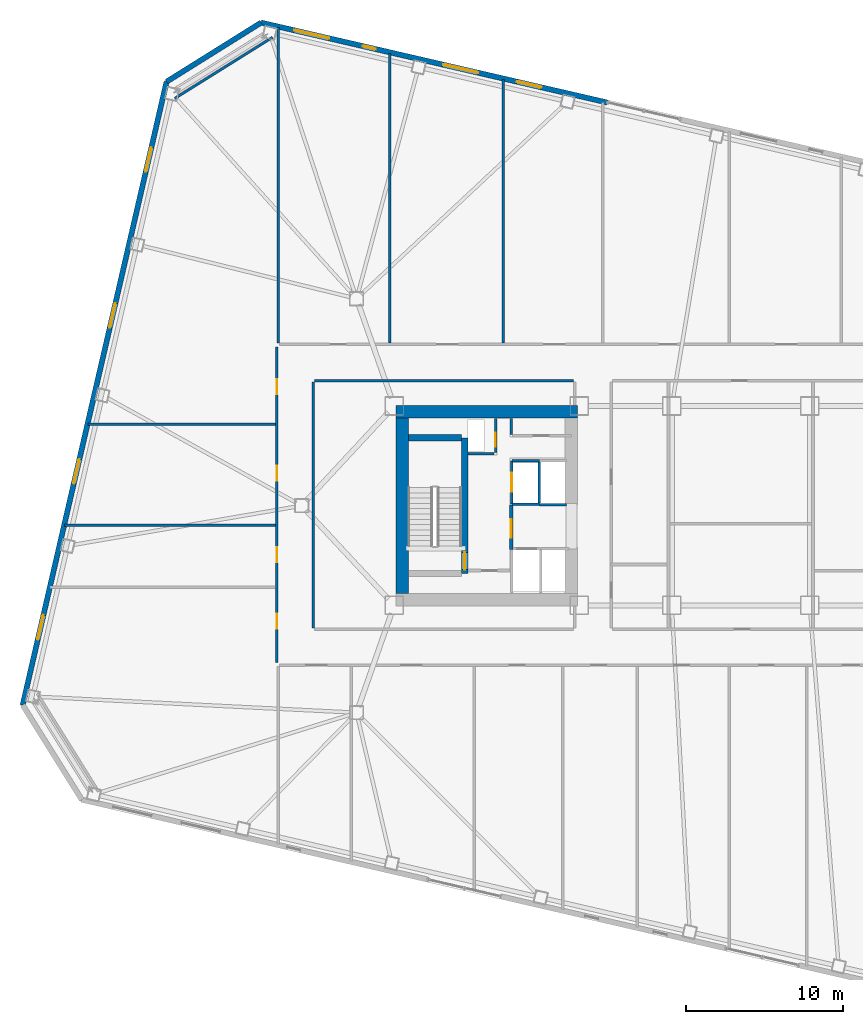
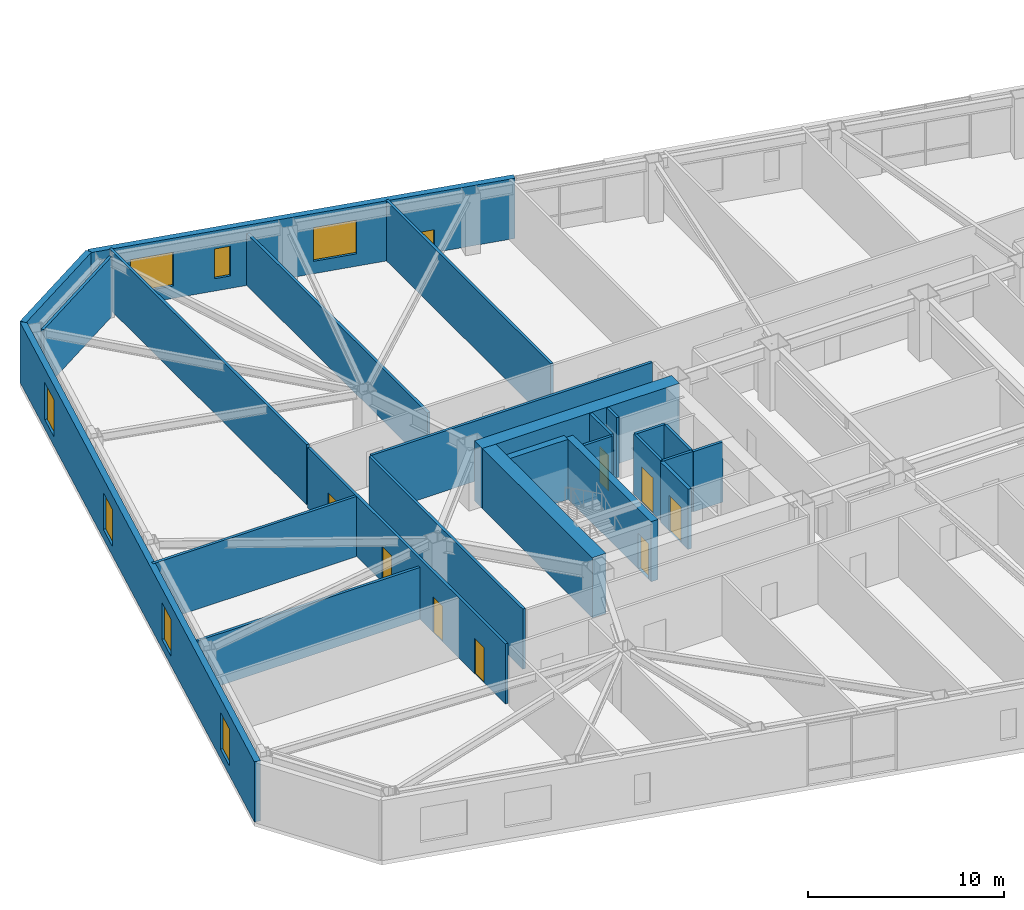
# One storey, part 11 of 19: 25 walls, 8 doors, 8 windows, 16 openings.
"""IFC4 building model written with IfcOpenShell, lengths in metres."""

from ifc_helpers import new_model, si_unit, direction, frame, frame_2d, origin, place, context, subcontext, project, spatial, rectangle, extrude, material, layer, layer_set, type_object, element, fill, save


model = new_model("IFC4")

# Units and contexts
model_context = context("Model", 3, precision=1e-05, world=origin(), true_north=direction((0.0, 1.0)))
body_context = subcontext(model_context, "Body", "Model", "MODEL_VIEW")
ifc_project = project(units=[si_unit("LENGTHUNIT", "METRE"), si_unit("AREAUNIT", "SQUARE_METRE"), si_unit("VOLUMEUNIT", "CUBIC_METRE"), si_unit("PLANEANGLEUNIT", "RADIAN"), si_unit("MASSUNIT", "GRAM", prefix="KILO")], contexts=[model_context])

# Site, building, storey
site_placement = place(None, origin())
site = spatial("IfcSite", under=ifc_project, at=site_placement, CompositionType="ELEMENT")
building_placement = place(site_placement, origin())
building = spatial("IfcBuilding", under=site, at=building_placement, Name="Tavrogorsk Clinical Tower", CompositionType="ELEMENT")
storey_placement = place(building_placement, frame((0.0, 0.0, 75.39990234375)))
storey = spatial("IfcBuildingStorey", under=building, at=storey_placement, Name="L16", CompositionType="ELEMENT", Elevation=75.39990234375)

# Wall, opening, door
ifc_material_1 = material(Name="Concrete B60", Category="concrete")
ifc_layer_1 = layer(ifc_material_1, 0.199951171875)
ifc_layer_set_1 = layer_set([ifc_layer_1], Name="Concrete B60")
wall_type_1 = type_object("IfcWallType", Name="CoreFireWall_200", PredefinedType="SOLIDWALL", material=ifc_layer_set_1)
wall_1_placement = place(storey_placement, frame((-14.639892578125, -2.780029296875, 0.0), z_axis=(0.0, 0.0, 1.0), x_axis=(0.0, 1.0, 0.0)))
wall_1 = element("IfcWall", 1, at=wall_1_placement, inside=storey, type_object=wall_type_1, Name="L16 Core West Firefighting Lobby Fire Wall", PredefinedType="SOLIDWALL", context=body_context, shape_type="SweptSolid", body=[
    extrude(rectangle(XDim=2.820068359375, YDim=0.199951171875, at=frame_2d((1.41015625, 0.0))), origin(), (0.0, 0.0, 1.0), 3.739990234375),
])
opening_1_placement = place(wall_1_placement, frame((0.72998046875, 0.0, 0.0)))
opening_1 = element("IfcOpeningElement", 2, at=opening_1_placement, cuts=wall_1, Name="Opening FD-01", PredefinedType="OPENING", context=body_context, shape_type="SweptSolid", body=[
    extrude(rectangle(XDim=1.199951171875, YDim=2.199951171875, at=frame_2d((0.60009765625, 1.10009765625))), frame((0.0, 0.10986328125, 0.0), z_axis=(0.0, -1.0, 0.0), x_axis=(1.0, 0.0, 0.0)), (0.0, 0.0, 1.0), 0.219970703125),
])
ifc_material_2 = material(Name="Galvanised steel fire-rated door assembly", Category="steel")
door_type_1 = type_object("IfcDoorType", Name="FireDoor_FD01_1200", OperationType="NOTDEFINED", PredefinedType="DOOR", material=ifc_material_2)
door_1_placement = place(opening_1_placement, origin())
door_1 = element("IfcDoor", 3, at=door_1_placement, inside=storey, type_object=door_type_1, Name="L16 Core West Firefighting Lobby Entry Door", OperationType="SINGLE_SWING_RIGHT", OverallHeight=2.199951171875, OverallWidth=1.199951171875, PredefinedType="DOOR", context=body_context, shape_type="SweptSolid", body=[
    extrude(rectangle(XDim=1.199951171875, YDim=2.199951171875, at=frame_2d((0.60009765625, 1.10009765625))), frame((0.0, 0.02490234375, 0.0), z_axis=(0.0, -1.0, 0.0), x_axis=(1.0, 0.0, 0.0)), (0.0, 0.0, 1.0), 0.050048828125),
])
fill(opening_1, door_1)

# Walls
ifc_material_3 = material(Name="Lightweight concrete blockwork B15", Category="masonry")
ifc_layer_2 = layer(ifc_material_3, 0.159912109375)
ifc_layer_set_2 = layer_set([ifc_layer_2], Name="Lightweight concrete blockwork B15")
wall_type_2 = type_object("IfcWallType", Name="PartitionWall_160", PredefinedType="PARTITIONING", material=ifc_layer_set_2)
wall_2_placement = place(storey_placement, frame((-14.639892578125, 4.544921875, 0.0), z_axis=(0.0, 0.0, 1.0), x_axis=(0.0, 1.0, 0.0)))
element("IfcWall", 4, at=wall_2_placement, inside=storey, type_object=wall_type_2, Name="L16 Core West Pneumatic Dispatch East Wall", PredefinedType="PARTITIONING", context=body_context, shape_type="SweptSolid", body=[
    extrude(rectangle(XDim=1.01513671875, YDim=0.159912109375, at=frame_2d((0.507568359375, 0.0))), origin(), (0.0, 0.0, 1.0), 3.739990234375),
])
wall_3_placement = place(storey_placement, frame((-29.859619140625, 29.8681640625, 0.0), z_axis=(0.0, 0.0, 1.0), x_axis=(-0.848043064089, -0.529927317139, 0.0)))
element("IfcWall", 5, at=wall_3_placement, inside=storey, type_object=wall_type_2, Name="L16 Corner Exoskeleton Brace Furring Wall 3", PredefinedType="PARTITIONING", context=body_context, shape_type="SweptSolid", body=[
    extrude(rectangle(XDim=7.353759765625, YDim=0.159912109375, at=frame_2d((3.6767578125, 0.0))), origin(), (0.0, 0.0, 1.0), 3.739990234375),
])

# Wall, openings, doors
wall_4_placement = place(storey_placement, frame((-29.580078125, -10.014892578125, 0.0), z_axis=(0.0, 0.0, 1.0), x_axis=(0.0, 1.0, 0.0)))
wall_4 = element("IfcWall", 6, at=wall_4_placement, inside=storey, type_object=wall_type_2, Name="L16 Corridor Partition 01", PredefinedType="PARTITIONING", context=body_context, shape_type="SweptSolid", body=[
    extrude(rectangle(XDim=20.1298828125, YDim=0.159912109375, at=frame_2d((10.06494140625, 0.0))), origin(), (0.0, 0.0, 1.0), 3.739990234375),
])
opening_2_placement = place(wall_4_placement, frame((2.169189453125, 0.0, 0.0)))
opening_2 = element("IfcOpeningElement", 7, at=opening_2_placement, cuts=wall_4, Name="Opening ID-02", PredefinedType="OPENING", context=body_context, shape_type="SweptSolid", body=[
    extrude(rectangle(XDim=0.949951171875, YDim=2.199951171875, at=frame_2d((0.47509765625, 1.10009765625))), frame((0.0, 0.08984375, 0.0), z_axis=(0.0, -1.0, 0.0), x_axis=(1.0, 0.0, 0.0)), (0.0, 0.0, 1.0), 0.179931640625),
])
opening_3_placement = place(wall_4_placement, frame((6.39990234375, 0.0, 0.0)))
opening_3 = element("IfcOpeningElement", 8, at=opening_3_placement, cuts=wall_4, Name="Opening ID-02", PredefinedType="OPENING", context=body_context, shape_type="SweptSolid", body=[
    extrude(rectangle(XDim=0.949951171875, YDim=2.199951171875, at=frame_2d((0.47509765625, 1.10009765625))), frame((0.0, 0.08984375, 0.0), z_axis=(0.0, -1.0, 0.0), x_axis=(1.0, 0.0, 0.0)), (0.0, 0.0, 1.0), 0.179931640625),
])
opening_4_placement = place(wall_4_placement, frame((11.60009765625, 0.0, 0.0)))
opening_4 = element("IfcOpeningElement", 9, at=opening_4_placement, cuts=wall_4, Name="Opening ID-02", PredefinedType="OPENING", context=body_context, shape_type="SweptSolid", body=[
    extrude(rectangle(XDim=0.949951171875, YDim=2.199951171875, at=frame_2d((0.47509765625, 1.10009765625))), frame((0.0, 0.08984375, 0.0), z_axis=(0.0, -1.0, 0.0), x_axis=(1.0, 0.0, 0.0)), (0.0, 0.0, 1.0), 0.179931640625),
])
opening_5_placement = place(wall_4_placement, frame((17.130859375, 0.0, 0.0)))
opening_5 = element("IfcOpeningElement", 10, at=opening_5_placement, cuts=wall_4, Name="Opening ID-02", PredefinedType="OPENING", context=body_context, shape_type="SweptSolid", body=[
    extrude(rectangle(XDim=0.949951171875, YDim=2.199951171875, at=frame_2d((0.47509765625, 1.10009765625))), frame((0.0, 0.08984375, 0.0), z_axis=(0.0, -1.0, 0.0), x_axis=(1.0, 0.0, 0.0)), (0.0, 0.0, 1.0), 0.179931640625),
])
ifc_material_4 = material(Name="Laminated timber leaf on aluminium frame", Category="wood")
door_type_2 = type_object("IfcDoorType", Name="InteriorDoor_ID02_950", OperationType="NOTDEFINED", PredefinedType="DOOR", material=ifc_material_4)
door_2_placement = place(opening_2_placement, origin())
door_2 = element("IfcDoor", 11, at=door_2_placement, inside=storey, type_object=door_type_2, Name="L16 W Solarium Day Room & Lounge 1 Door", OperationType="SINGLE_SWING_RIGHT", OverallHeight=2.199951171875, OverallWidth=0.949951171875, PredefinedType="DOOR", context=body_context, shape_type="SweptSolid", body=[
    extrude(rectangle(XDim=0.949951171875, YDim=2.199951171875, at=frame_2d((0.47509765625, 1.10009765625))), frame((0.0, 0.02490234375, 0.0), z_axis=(0.0, -1.0, 0.0), x_axis=(1.0, 0.0, 0.0)), (0.0, 0.0, 1.0), 0.050048828125),
])
fill(opening_2, door_2)
door_3_placement = place(opening_3_placement, origin())
door_3 = element("IfcDoor", 12, at=door_3_placement, inside=storey, type_object=door_type_2, Name="L16 W Rehabilitation Therapy Suite 2 Door", OperationType="SINGLE_SWING_LEFT", OverallHeight=2.199951171875, OverallWidth=0.949951171875, PredefinedType="DOOR", context=body_context, shape_type="SweptSolid", body=[
    extrude(rectangle(XDim=0.949951171875, YDim=2.199951171875, at=frame_2d((0.47509765625, 1.10009765625))), frame((0.0, 0.02490234375, 0.0), z_axis=(0.0, -1.0, 0.0), x_axis=(1.0, 0.0, 0.0)), (0.0, 0.0, 1.0), 0.050048828125),
])
fill(opening_3, door_3)
door_4_placement = place(opening_4_placement, origin())
door_4 = element("IfcDoor", 13, at=door_4_placement, inside=storey, type_object=door_type_2, Name="L16 W Sub-Acute Observation Suite 3 Door", OperationType="SINGLE_SWING_RIGHT", OverallHeight=2.199951171875, OverallWidth=0.949951171875, PredefinedType="DOOR", context=body_context, shape_type="SweptSolid", body=[
    extrude(rectangle(XDim=0.949951171875, YDim=2.199951171875, at=frame_2d((0.47509765625, 1.10009765625))), frame((0.0, 0.02490234375, 0.0), z_axis=(0.0, -1.0, 0.0), x_axis=(1.0, 0.0, 0.0)), (0.0, 0.0, 1.0), 0.050048828125),
])
fill(opening_4, door_4)
door_5_placement = place(opening_5_placement, origin())
door_5 = element("IfcDoor", 14, at=door_5_placement, inside=storey, type_object=door_type_2, Name="L16 W Family Consultation Lounge 4 Door", OperationType="SINGLE_SWING_LEFT", OverallHeight=2.199951171875, OverallWidth=0.949951171875, PredefinedType="DOOR", context=body_context, shape_type="SweptSolid", body=[
    extrude(rectangle(XDim=0.949951171875, YDim=2.199951171875, at=frame_2d((0.47509765625, 1.10009765625))), frame((0.0, 0.02490234375, 0.0), z_axis=(0.0, -1.0, 0.0), x_axis=(1.0, 0.0, 0.0)), (0.0, 0.0, 1.0), 0.050048828125),
])
fill(opening_5, door_5)

# Walls
wall_5_placement = place(storey_placement, frame((-10.6650390625, 7.969970703125, 0.0), z_axis=(0.0, 0.0, 1.0), x_axis=(-1.0, 0.0, 0.0)))
element("IfcWall", 15, at=wall_5_placement, inside=storey, type_object=wall_type_2, Name="L16 Corridor Partition 16", PredefinedType="PARTITIONING", context=body_context, shape_type="SweptSolid", body=[
    extrude(rectangle(XDim=16.52001953125, YDim=0.159912109375, at=frame_2d((8.260009765625, 0.0))), origin(), (0.0, 0.0, 1.0), 3.739990234375),
])
wall_6_placement = place(storey_placement, frame((-27.27001953125, 7.885009765625, 0.0), z_axis=(0.0, 0.0, 1.0), x_axis=(0.0, -1.0, 0.0)))
element("IfcWall", 16, at=wall_6_placement, inside=storey, type_object=wall_type_2, Name="L16 Corridor Partition 17", PredefinedType="PARTITIONING", context=body_context, shape_type="SweptSolid", body=[
    extrude(rectangle(XDim=15.669921875, YDim=0.159912109375, at=frame_2d((7.8349609375, 0.0))), origin(), (0.0, 0.0, 1.0), 3.739990234375),
])
wall_7_placement = place(storey_placement, frame((-29.5, 10.364990234375, 0.0), z_axis=(0.0, 0.0, 1.0), x_axis=(0.0, 1.0, 0.0)))
element("IfcWall", 17, at=wall_7_placement, inside=storey, type_object=wall_type_2, Name="L16 NW Wing Closure Partition", PredefinedType="PARTITIONING", context=body_context, shape_type="SweptSolid", body=[
    extrude(rectangle(XDim=20.11865234375, YDim=0.159912109375, at=frame_2d((10.059326171875, 0.0))), origin(), (0.0, 0.0, 1.0), 3.739990234375),
])
wall_8_placement = place(storey_placement, frame((-22.39990234375, 10.364990234375, 0.0), z_axis=(0.0, 0.0, 1.0), x_axis=(0.0, 1.0, 0.0)))
element("IfcWall", 18, at=wall_8_placement, inside=storey, type_object=wall_type_2, Name="L16 North Room Partition 1", PredefinedType="PARTITIONING", context=body_context, shape_type="SweptSolid", body=[
    extrude(rectangle(XDim=18.4794921875, YDim=0.159912109375, at=frame_2d((9.23974609375, 0.0))), origin(), (0.0, 0.0, 1.0), 3.235107421875),
])
wall_9_placement = place(storey_placement, frame((-15.14990234375, 10.364990234375, 0.0), z_axis=(0.0, 0.0, 1.0), x_axis=(0.0, 1.0, 0.0)))
element("IfcWall", 19, at=wall_9_placement, inside=storey, type_object=wall_type_2, Name="L16 North Sub-Partition 2", PredefinedType="PARTITIONING", context=body_context, shape_type="SweptSolid", body=[
    extrude(rectangle(XDim=16.8056640625, YDim=0.159912109375, at=frame_2d((8.40283203125, 0.0))), origin(), (0.0, 0.0, 1.0), 3.739990234375),
])
wall_10_placement = place(storey_placement, frame((-43.130126953125, -1.25, 0.0), z_axis=(0.0, 0.0, 1.0), x_axis=(1.0, 0.0, 0.0)))
element("IfcWall", 20, at=wall_10_placement, inside=storey, type_object=wall_type_2, Name="L16 W Wing Divider 2", PredefinedType="PARTITIONING", context=body_context, shape_type="SweptSolid", body=[
    extrude(rectangle(XDim=13.465087890625, YDim=0.159912109375, at=frame_2d((6.732421875, 0.0))), origin(), (0.0, 0.0, 1.0), 3.235107421875),
])
wall_11_placement = place(storey_placement, frame((-41.64111328125, 5.199951171875, 0.0), z_axis=(0.0, 0.0, 1.0), x_axis=(1.0, 0.0, 0.0)))
element("IfcWall", 21, at=wall_11_placement, inside=storey, type_object=wall_type_2, Name="L16 W Wing Divider 3", PredefinedType="PARTITIONING", context=body_context, shape_type="SweptSolid", body=[
    extrude(rectangle(XDim=11.97607421875, YDim=0.159912109375, at=frame_2d((5.988037109375, 0.0))), origin(), (0.0, 0.0, 1.0), 3.739990234375),
])

# Wall, openings, windows
ifc_material_5 = material(Name="Precast concrete B45 with limestone cladding", Category="masonry")
ifc_layer_3 = layer(ifc_material_5, 0.340087890625)
ifc_layer_set_3 = layer_set([ifc_layer_3], Name="Precast concrete B45 with limestone cladding")
wall_type_3 = type_object("IfcWallType", Name="PrecastLimestoneWall_340", PredefinedType="STANDARD", material=ifc_layer_set_3)
wall_12_placement = place(storey_placement, frame((-8.5166015625, 25.711181640625, 0.0), z_axis=(0.0, 0.0, 1.0), x_axis=(-0.974372845456, 0.224939009598, 0.0)))
wall_12 = element("IfcWall", 22, at=wall_12_placement, inside=storey, type_object=wall_type_3, Name="L16 N Limestone Facade Wall 3", PredefinedType="STANDARD", context=body_context, shape_type="SweptSolid", body=[
    extrude(rectangle(XDim=22.651611328125, YDim=0.340087890625, at=frame_2d((11.32568359375, 0.0))), origin(), (0.0, 0.0, 1.0), 3.739990234375),
])
opening_6_placement = place(wall_12_placement, frame((18.189208984375, 0.0, 0.77001953125)))
opening_6 = element("IfcOpeningElement", 23, at=opening_6_placement, cuts=wall_12, Name="Opening WN-12", PredefinedType="OPENING", context=body_context, shape_type="SweptSolid", body=[
    extrude(rectangle(XDim=2.300048828125, YDim=2.10009765625, at=frame_2d((1.14990234375, 1.050048828125))), frame((0.0, 0.179931640625, 0.0), z_axis=(0.0, -1.0, 0.0), x_axis=(1.0, 0.0, 0.0)), (0.0, 0.0, 1.0), 0.360107421875),
])
opening_7_placement = place(wall_12_placement, frame((15.15478515625, 0.0, 0.77001953125)))
opening_7 = element("IfcOpeningElement", 24, at=opening_7_placement, cuts=wall_12, Name="Opening WN-06", PredefinedType="OPENING", context=body_context, shape_type="SweptSolid", body=[
    extrude(rectangle(XDim=0.85009765625, YDim=1.85009765625, at=frame_2d((0.425048828125, 0.925048828125))), frame((0.0, 0.179931640625, 0.0), z_axis=(0.0, -1.0, 0.0), x_axis=(1.0, 0.0, 0.0)), (0.0, 0.0, 1.0), 0.360107421875),
])
opening_8_placement = place(wall_12_placement, frame((8.440673828125, 0.0, 0.77001953125)))
opening_8 = element("IfcOpeningElement", 25, at=opening_8_placement, cuts=wall_12, Name="Opening WN-12", PredefinedType="OPENING", context=body_context, shape_type="SweptSolid", body=[
    extrude(rectangle(XDim=2.300048828125, YDim=2.10009765625, at=frame_2d((1.14990234375, 1.050048828125))), frame((0.0, 0.179931640625, 0.0), z_axis=(0.0, -1.0, 0.0), x_axis=(1.0, 0.0, 0.0)), (0.0, 0.0, 1.0), 0.360107421875),
])
opening_9_placement = place(wall_12_placement, frame((4.306396484375, 0.0, 0.219970703125)))
opening_9 = element("IfcOpeningElement", 26, at=opening_9_placement, cuts=wall_12, Name="Opening WN-09", PredefinedType="OPENING", context=body_context, shape_type="SweptSolid", body=[
    extrude(rectangle(XDim=1.60009765625, YDim=1.199951171875, at=frame_2d((0.800048828125, 0.60009765625))), frame((0.0, 0.179931640625, 0.0), z_axis=(0.0, -1.0, 0.0), x_axis=(1.0, 0.0, 0.0)), (0.0, 0.0, 1.0), 0.360107421875),
])
ifc_material_6 = material(Name="Thermally broken aluminium frame and triple IGU", Category="aluminium")
window_type_1 = type_object("IfcWindowType", Name="LowHeadTransWin_1600x1200", PartitioningType="DOUBLE_PANEL_VERTICAL", PredefinedType="WINDOW", material=ifc_material_6)
window_1_placement = place(opening_9_placement, origin())
window_1 = element("IfcWindow", 27, at=window_1_placement, inside=storey, type_object=window_type_1, Name="L16 N Chicago Window 04", OverallHeight=1.199951171875, OverallWidth=1.60009765625, PartitioningType="SINGLE_PANEL", PredefinedType="WINDOW", context=body_context, shape_type="SweptSolid", body=[
    extrude(rectangle(XDim=1.60009765625, YDim=1.199951171875, at=frame_2d((0.800048828125, 0.60009765625))), frame((0.0, 0.030029296875, 0.0), z_axis=(0.0, -1.0, 0.0), x_axis=(1.0, 0.0, 0.0)), (0.0, 0.0, 1.0), 0.06005859375),
])
fill(opening_9, window_1)
ifc_material_7 = material(Name="Thermally broken aluminium frame and triple IGU", Category="aluminium")
window_type_2 = type_object("IfcWindowType", Name="MullionSubWin_850x1850", PartitioningType="SINGLE_PANEL", PredefinedType="WINDOW", material=ifc_material_7)
window_2_placement = place(opening_7_placement, origin())
window_2 = element("IfcWindow", 28, at=window_2_placement, inside=storey, type_object=window_type_2, Name="L16 N Mullion Split Window 02B", OverallHeight=1.85009765625, OverallWidth=0.85009765625, PartitioningType="SINGLE_PANEL", PredefinedType="WINDOW", context=body_context, shape_type="SweptSolid", body=[
    extrude(rectangle(XDim=0.85009765625, YDim=1.85009765625, at=frame_2d((0.425048828125, 0.925048828125))), frame((0.0, 0.030029296875, 0.0), z_axis=(0.0, -1.0, 0.0), x_axis=(1.0, 0.0, 0.0)), (0.0, 0.0, 1.0), 0.06005859375),
])
fill(opening_7, window_2)
ifc_material_8 = material(Name="Thermally broken aluminium frame and triple IGU", Category="aluminium")
window_type_3 = type_object("IfcWindowType", Name="RecoveryWin_2300x2100", PartitioningType="DOUBLE_PANEL_VERTICAL", PredefinedType="WINDOW", material=ifc_material_8)
window_3_placement = place(opening_6_placement, origin())
window_3 = element("IfcWindow", 29, at=window_3_placement, inside=storey, type_object=window_type_3, Name="L16 N Chicago Window 01", OverallHeight=2.10009765625, OverallWidth=2.300048828125, PartitioningType="SINGLE_PANEL", PredefinedType="WINDOW", context=body_context, shape_type="SweptSolid", body=[
    extrude(rectangle(XDim=2.300048828125, YDim=2.10009765625, at=frame_2d((1.14990234375, 1.050048828125))), frame((0.0, 0.030029296875, 0.0), z_axis=(0.0, -1.0, 0.0), x_axis=(1.0, 0.0, 0.0)), (0.0, 0.0, 1.0), 0.06005859375),
])
fill(opening_6, window_3)
window_4_placement = place(opening_8_placement, origin())
window_4 = element("IfcWindow", 30, at=window_4_placement, inside=storey, type_object=window_type_3, Name="L16 N Chicago Window 03", OverallHeight=2.10009765625, OverallWidth=2.300048828125, PartitioningType="SINGLE_PANEL", PredefinedType="WINDOW", context=body_context, shape_type="SweptSolid", body=[
    extrude(rectangle(XDim=2.300048828125, YDim=2.10009765625, at=frame_2d((1.14990234375, 1.050048828125))), frame((0.0, 0.030029296875, 0.0), z_axis=(0.0, -1.0, 0.0), x_axis=(1.0, 0.0, 0.0)), (0.0, 0.0, 1.0), 0.06005859375),
])
fill(opening_8, window_4)

wall_13_placement = place(storey_placement, frame((-36.6201171875, 27.036865234375, 0.0), z_axis=(0.0, 0.0, 1.0), x_axis=(-0.224951280646, -0.974370012539, 0.0)))
wall_13 = element("IfcWall", 31, at=wall_13_placement, inside=storey, type_object=wall_type_3, Name="L16 W Pleated Limestone Wing Wall", PredefinedType="STANDARD", context=body_context, shape_type="SweptSolid", body=[
    extrude(rectangle(XDim=40.7998046875, YDim=0.340087890625, at=frame_2d((20.39990234375, 0.0))), origin(), (0.0, 0.0, 1.0), 3.739990234375),
])
opening_10_placement = place(wall_13_placement, frame((4.300048828125, 0.0, 0.580078125)))
opening_10 = element("IfcOpeningElement", 32, at=opening_10_placement, cuts=wall_13, Name="Opening WN-07", PredefinedType="OPENING", context=body_context, shape_type="SweptSolid", body=[
    extrude(rectangle(XDim=1.60009765625, YDim=2.300048828125, at=frame_2d((0.800048828125, 1.14990234375))), frame((0.0, 0.179931640625, 0.0), z_axis=(0.0, -1.0, 0.0), x_axis=(1.0, 0.0, 0.0)), (0.0, 0.0, 1.0), 0.360107421875),
])
opening_11_placement = place(wall_13_placement, frame((14.5, 0.0, 0.580078125)))
opening_11 = element("IfcOpeningElement", 33, at=opening_11_placement, cuts=wall_13, Name="Opening WN-07", PredefinedType="OPENING", context=body_context, shape_type="SweptSolid", body=[
    extrude(rectangle(XDim=1.60009765625, YDim=2.300048828125, at=frame_2d((0.800048828125, 1.14990234375))), frame((0.0, 0.179931640625, 0.0), z_axis=(0.0, -1.0, 0.0), x_axis=(1.0, 0.0, 0.0)), (0.0, 0.0, 1.0), 0.360107421875),
])
opening_12_placement = place(wall_13_placement, frame((24.699951171875, 0.0, 0.580078125)))
opening_12 = element("IfcOpeningElement", 34, at=opening_12_placement, cuts=wall_13, Name="Opening WN-07", PredefinedType="OPENING", context=body_context, shape_type="SweptSolid", body=[
    extrude(rectangle(XDim=1.60009765625, YDim=2.300048828125, at=frame_2d((0.800048828125, 1.14990234375))), frame((0.0, 0.179931640625, 0.0), z_axis=(0.0, -1.0, 0.0), x_axis=(1.0, 0.0, 0.0)), (0.0, 0.0, 1.0), 0.360107421875),
])
opening_13_placement = place(wall_13_placement, frame((34.89990234375, 0.0, 0.580078125)))
opening_13 = element("IfcOpeningElement", 35, at=opening_13_placement, cuts=wall_13, Name="Opening WN-07", PredefinedType="OPENING", context=body_context, shape_type="SweptSolid", body=[
    extrude(rectangle(XDim=1.60009765625, YDim=2.300048828125, at=frame_2d((0.800048828125, 1.14990234375))), frame((0.0, 0.179931640625, 0.0), z_axis=(0.0, -1.0, 0.0), x_axis=(1.0, 0.0, 0.0)), (0.0, 0.0, 1.0), 0.360107421875),
])
ifc_material_9 = material(Name="Thermally broken aluminium frame and triple IGU", Category="aluminium")
window_type_4 = type_object("IfcWindowType", Name="PleatSlotWin_1600x2300", PartitioningType="SINGLE_PANEL", PredefinedType="WINDOW", material=ifc_material_9)
window_5_placement = place(opening_10_placement, origin())
window_5 = element("IfcWindow", 36, at=window_5_placement, inside=storey, type_object=window_type_4, Name="L16 W Pleat Slot Window 1", OverallHeight=2.300048828125, OverallWidth=1.60009765625, PartitioningType="SINGLE_PANEL", PredefinedType="WINDOW", context=body_context, shape_type="SweptSolid", body=[
    extrude(rectangle(XDim=1.60009765625, YDim=2.300048828125, at=frame_2d((0.800048828125, 1.14990234375))), frame((0.0, 0.030029296875, 0.0), z_axis=(0.0, -1.0, 0.0), x_axis=(1.0, 0.0, 0.0)), (0.0, 0.0, 1.0), 0.06005859375),
])
fill(opening_10, window_5)
window_6_placement = place(opening_11_placement, origin())
window_6 = element("IfcWindow", 37, at=window_6_placement, inside=storey, type_object=window_type_4, Name="L16 W Pleat Slot Window 2", OverallHeight=2.300048828125, OverallWidth=1.60009765625, PartitioningType="SINGLE_PANEL", PredefinedType="WINDOW", context=body_context, shape_type="SweptSolid", body=[
    extrude(rectangle(XDim=1.60009765625, YDim=2.300048828125, at=frame_2d((0.800048828125, 1.14990234375))), frame((0.0, 0.030029296875, 0.0), z_axis=(0.0, -1.0, 0.0), x_axis=(1.0, 0.0, 0.0)), (0.0, 0.0, 1.0), 0.06005859375),
])
fill(opening_11, window_6)
window_7_placement = place(opening_12_placement, origin())
window_7 = element("IfcWindow", 38, at=window_7_placement, inside=storey, type_object=window_type_4, Name="L16 W Pleat Slot Window 3", OverallHeight=2.300048828125, OverallWidth=1.60009765625, PartitioningType="SINGLE_PANEL", PredefinedType="WINDOW", context=body_context, shape_type="SweptSolid", body=[
    extrude(rectangle(XDim=1.60009765625, YDim=2.300048828125, at=frame_2d((0.800048828125, 1.14990234375))), frame((0.0, 0.030029296875, 0.0), z_axis=(0.0, -1.0, 0.0), x_axis=(1.0, 0.0, 0.0)), (0.0, 0.0, 1.0), 0.06005859375),
])
fill(opening_12, window_7)
window_8_placement = place(opening_13_placement, origin())
window_8 = element("IfcWindow", 39, at=window_8_placement, inside=storey, type_object=window_type_4, Name="L16 W Pleat Slot Window 4", OverallHeight=2.300048828125, OverallWidth=1.60009765625, PartitioningType="SINGLE_PANEL", PredefinedType="WINDOW", context=body_context, shape_type="SweptSolid", body=[
    extrude(rectangle(XDim=1.60009765625, YDim=2.300048828125, at=frame_2d((0.800048828125, 1.14990234375))), frame((0.0, 0.030029296875, 0.0), z_axis=(0.0, -1.0, 0.0), x_axis=(1.0, 0.0, 0.0)), (0.0, 0.0, 1.0), 0.06005859375),
])
fill(opening_13, window_8)

# Wall
wall_14_placement = place(storey_placement, frame((-30.587646484375, 30.806640625, 0.0), z_axis=(0.0, 0.0, 1.0), x_axis=(-0.848031080615, -0.529946493819, 0.0)))
element("IfcWall", 40, at=wall_14_placement, inside=storey, type_object=wall_type_3, Name="L16 Chamfered Corner Wall 3", PredefinedType="STANDARD", context=body_context, shape_type="SweptSolid", body=[
    extrude(rectangle(XDim=7.113525390625, YDim=0.340087890625, at=frame_2d((3.556640625, 0.0))), origin(), (0.0, 0.0, 1.0), 3.739990234375),
])

# Wall, opening, door
ifc_material_10 = material(Name="Lightweight concrete blockwork B25", Category="masonry")
ifc_layer_4 = layer(ifc_material_10, 0.159912109375)
ifc_layer_set_4 = layer_set([ifc_layer_4], Name="Lightweight concrete blockwork B25")
wall_type_4 = type_object("IfcWallType", Name="ShaftWall_160", PredefinedType="PARTITIONING", material=ifc_layer_set_4)
wall_15_placement = place(storey_placement, frame((-14.60009765625, 0.1201171875, 0.0), z_axis=(0.0, 0.0, 1.0), x_axis=(0.0, 1.0, 0.0)))
wall_15 = element("IfcWall", 41, at=wall_15_placement, inside=storey, type_object=wall_type_4, Name="L16 FFL-W Firefighting Lift Front Wall", PredefinedType="PARTITIONING", context=body_context, shape_type="SweptSolid", body=[
    extrude(rectangle(XDim=2.739990234375, YDim=0.159912109375, at=frame_2d((1.3701171875, 0.0))), origin(), (0.0, 0.0, 1.0), 3.739990234375),
])
opening_14_placement = place(wall_15_placement, frame((0.77001953125, 0.0, 0.0)))
opening_14 = element("IfcOpeningElement", 42, at=opening_14_placement, cuts=wall_15, Name="Opening LD", PredefinedType="OPENING", context=body_context, shape_type="SweptSolid", body=[
    extrude(rectangle(XDim=1.199951171875, YDim=2.199951171875, at=frame_2d((0.60009765625, 1.10009765625))), frame((0.0, 0.08984375, 0.0), z_axis=(0.0, -1.0, 0.0), x_axis=(1.0, 0.0, 0.0)), (0.0, 0.0, 1.0), 0.179931640625),
])
ifc_material_11 = material(Name="Brushed stainless steel AISI 304 sliding doors", Category="steel")
door_type_3 = type_object("IfcDoorType", Name="LiftLandingDoor_LD_1200", OperationType="SLIDING_TO_LEFT", PredefinedType="DOOR", material=ifc_material_11)
door_6_placement = place(opening_14_placement, origin())
door_6 = element("IfcDoor", 43, at=door_6_placement, inside=storey, type_object=door_type_3, Name="L16 FFL-W Sliding Lift Landing Door", OperationType="SLIDING_TO_LEFT", OverallHeight=2.199951171875, OverallWidth=1.199951171875, PredefinedType="DOOR", context=body_context, shape_type="SweptSolid", body=[
    extrude(rectangle(XDim=1.199951171875, YDim=2.199951171875, at=frame_2d((0.60009765625, 1.10009765625))), frame((0.0, 0.02490234375, 0.0), z_axis=(0.0, -1.0, 0.0), x_axis=(1.0, 0.0, 0.0)), (0.0, 0.0, 1.0), 0.050048828125),
])
fill(opening_14, door_6)

# Walls
for number, where, z_axis, x_axis, name in (
    (44, (-14.60009765625, 0.10009765625, 0.0), (0.0, 0.0, 1.0), (1.0, 0.0, 0.0), "L16 FFL-W Shaft South Wall"),
    (45, (-14.60009765625, 2.8798828125, 0.0), (0.0, 0.0, 1.0), (1.0, 0.0, 0.0), "L16 FFL-W Shaft North Wall"),
):
    element("IfcWall", number, at=place(storey_placement, frame(where, z_axis=z_axis, x_axis=x_axis)), inside=storey, type_object=wall_type_4, Name=name, PredefinedType="PARTITIONING", context=body_context, shape_type="SweptSolid", body=[
        extrude(rectangle(XDim=1.760009765625, YDim=0.159912109375, at=frame_2d((0.8798828125, 0.0))), origin(), (0.0, 0.0, 1.0), 3.739990234375),
    ])
wall_16_placement = place(storey_placement, frame((-12.840087890625, 0.179931640625, 0.0), z_axis=(0.0, 0.0, 1.0), x_axis=(0.0, 1.0, 0.0)))
element("IfcWall", 46, at=wall_16_placement, inside=storey, type_object=wall_type_4, Name="L16 FFL-W Shaft Back Wall", PredefinedType="PARTITIONING", context=body_context, shape_type="SweptSolid", body=[
    extrude(rectangle(XDim=2.6201171875, YDim=0.159912109375, at=frame_2d((1.31005859375, 0.0))), origin(), (0.0, 0.0, 1.0), 3.739990234375),
])
wall_17_placement = place(storey_placement, frame((-12.820068359375, 0.06005859375, 0.0), z_axis=(0.0, 0.0, 1.0), x_axis=(1.0, 0.0, 0.0)))
element("IfcWall", 47, at=wall_17_placement, inside=storey, type_object=wall_type_4, Name="L16 LP-H1 High-Zone Lift Portal Wall", PredefinedType="PARTITIONING", context=body_context, shape_type="SweptSolid", body=[
    extrude(rectangle(XDim=1.719970703125, YDim=0.159912109375, at=frame_2d((0.85986328125, 0.0))), origin(), (0.0, 0.0, 1.0), 3.739990234375),
])

# Wall, opening, door
wall_18_placement = place(storey_placement, frame((-15.639892578125, 3.405029296875, 0.0), z_axis=(0.0, 0.0, 1.0), x_axis=(0.0, 1.0, 0.0)))
wall_18 = element("IfcWall", 48, at=wall_18_placement, inside=storey, type_object=wall_type_4, Name="L16 Core West Riser West Wall", PredefinedType="PARTITIONING", context=body_context, shape_type="SweptSolid", body=[
    extrude(rectangle(XDim=2.155029296875, YDim=0.159912109375, at=frame_2d((1.07763671875, 0.0))), origin(), (0.0, 0.0, 1.0), 3.739990234375),
])
opening_15_placement = place(wall_18_placement, frame((0.35009765625, 0.0, 0.0)))
opening_15 = element("IfcOpeningElement", 49, at=opening_15_placement, cuts=wall_18, Name="Opening FD-02", PredefinedType="OPENING", context=body_context, shape_type="SweptSolid", body=[
    extrude(rectangle(XDim=0.89990234375, YDim=2.199951171875, at=frame_2d((0.449951171875, 1.10009765625))), frame((0.0, 0.08984375, 0.0), z_axis=(0.0, -1.0, 0.0), x_axis=(1.0, 0.0, 0.0)), (0.0, 0.0, 1.0), 0.179931640625),
])
ifc_material_12 = material(Name="Galvanised steel fire-rated door assembly", Category="steel")
door_type_4 = type_object("IfcDoorType", Name="FireDoor_FD02_900", OperationType="NOTDEFINED", PredefinedType="DOOR", material=ifc_material_12)
door_7_placement = place(opening_15_placement, origin())
door_7 = element("IfcDoor", 50, at=door_7_placement, inside=storey, type_object=door_type_4, Name="L16 Core West Electrical Riser Access Door", OperationType="SINGLE_SWING_LEFT", OverallHeight=2.199951171875, OverallWidth=0.89990234375, PredefinedType="DOOR", context=body_context, shape_type="SweptSolid", body=[
    extrude(rectangle(XDim=0.89990234375, YDim=2.199951171875, at=frame_2d((0.449951171875, 1.10009765625))), frame((0.0, 0.02490234375, 0.0), z_axis=(0.0, -1.0, 0.0), x_axis=(1.0, 0.0, 0.0)), (0.0, 0.0, 1.0), 0.050048828125),
])
fill(opening_15, door_7)

# Wall
wall_19_placement = place(storey_placement, frame((-17.3798828125, 3.320068359375, 0.0), z_axis=(0.0, 0.0, 1.0), x_axis=(1.0, 0.0, 0.0)))
element("IfcWall", 51, at=wall_19_placement, inside=storey, type_object=wall_type_4, Name="L16 Core West Riser South Wall", PredefinedType="PARTITIONING", context=body_context, shape_type="SweptSolid", body=[
    extrude(rectangle(XDim=1.65478515625, YDim=0.159912109375, at=frame_2d((0.827392578125, 0.0))), origin(), (0.0, 0.0, 1.0), 3.739990234375),
])

# Wall, opening, door
ifc_material_13 = material(Name="Concrete B80", Category="concrete")
ifc_layer_5 = layer(ifc_material_13, 0.39990234375)
ifc_layer_set_5 = layer_set([ifc_layer_5], Name="Concrete B80")
wall_type_5 = type_object("IfcWallType", Name="ShearWall_400", PredefinedType="SHEAR", material=ifc_layer_set_5)
wall_20_placement = place(storey_placement, frame((-17.60009765625, -4.324951171875, 0.0), z_axis=(0.0, 0.0, 1.0), x_axis=(0.0, 1.0, 0.0)))
wall_20 = element("IfcWall", 52, at=wall_20_placement, inside=storey, type_object=wall_type_5, Name="L16 Core West Stair Shaft Inner Shear Wall", PredefinedType="SHEAR", context=body_context, shape_type="SweptSolid", body=[
    extrude(rectangle(XDim=8.64990234375, YDim=0.39990234375, at=frame_2d((4.324951171875, 0.0))), origin(), (0.0, 0.0, 1.0), 3.739990234375),
])
opening_16_placement = place(wall_20_placement, frame((0.25, 0.0, 0.0)))
opening_16 = element("IfcOpeningElement", 53, at=opening_16_placement, cuts=wall_20, Name="Opening SD-01", PredefinedType="OPENING", context=body_context, shape_type="SweptSolid", body=[
    extrude(rectangle(XDim=1.10009765625, YDim=2.199951171875, at=frame_2d((0.550048828125, 1.10009765625))), frame((0.0, 0.2099609375, 0.0), z_axis=(0.0, -1.0, 0.0), x_axis=(1.0, 0.0, 0.0)), (0.0, 0.0, 1.0), 0.419921875),
])
ifc_material_14 = material(Name="Galvanised steel smoke-tight fire door assembly", Category="steel")
door_type_5 = type_object("IfcDoorType", Name="StairFireDoor_SD01_1100", OperationType="NOTDEFINED", PredefinedType="DOOR", material=ifc_material_14)
door_8_placement = place(opening_16_placement, origin())
door_8 = element("IfcDoor", 54, at=door_8_placement, inside=storey, type_object=door_type_5, Name="L16 ST-W Exit Stair Door", OperationType="SINGLE_SWING_LEFT", OverallHeight=2.199951171875, OverallWidth=1.10009765625, PredefinedType="DOOR", context=body_context, shape_type="SweptSolid", body=[
    extrude(rectangle(XDim=1.10009765625, YDim=2.199951171875, at=frame_2d((0.550048828125, 1.10009765625))), frame((0.0, 0.02490234375, 0.0), z_axis=(0.0, -1.0, 0.0), x_axis=(1.0, 0.0, 0.0)), (0.0, 0.0, 1.0), 0.050048828125),
])
fill(opening_16, door_8)

# Walls
wall_21_placement = place(storey_placement, frame((-21.199951171875, 4.324951171875, 0.0), z_axis=(0.0, 0.0, 1.0), x_axis=(1.0, 0.0, 0.0)))
element("IfcWall", 55, at=wall_21_placement, inside=storey, type_object=wall_type_5, Name="L16 Core West Stair Shaft North Shear Wall", PredefinedType="SHEAR", context=body_context, shape_type="SweptSolid", body=[
    extrude(rectangle(XDim=3.39990234375, YDim=0.39990234375, at=frame_2d((1.699951171875, 0.0))), origin(), (0.0, 0.0, 1.0), 3.739990234375),
])
ifc_material_15 = material(Name="Concrete B80", Category="concrete")
ifc_layer_6 = layer(ifc_material_15, 0.800048828125)
ifc_layer_set_6 = layer_set([ifc_layer_6], Name="Concrete B80")
wall_type_6 = type_object("IfcWallType", Name="ShearWall_800", PredefinedType="SHEAR", material=ifc_layer_set_6)
wall_22_placement = place(storey_placement, frame((-22.0, 6.0, 0.0), z_axis=(0.0, 0.0, 1.0), x_axis=(1.0, 0.0, 0.0)))
element("IfcWall", 56, at=wall_22_placement, inside=storey, type_object=wall_type_6, Name="L16 Core West North Shear Wall", PredefinedType="SHEAR", context=body_context, shape_type="SweptSolid", body=[
    extrude(rectangle(XDim=11.60009765625, YDim=0.800048828125, at=frame_2d((5.800048828125, 0.0))), origin(), (0.0, 0.0, 1.0), 3.739990234375),
])
wall_23_placement = place(storey_placement, frame((-21.60009765625, -5.60009765625, 0.0), z_axis=(0.0, 0.0, 1.0), x_axis=(0.0, 1.0, 0.0)))
element("IfcWall", 57, at=wall_23_placement, inside=storey, type_object=wall_type_6, Name="L16 Core West End Shear Wall", PredefinedType="SHEAR", context=body_context, shape_type="SweptSolid", body=[
    extrude(rectangle(XDim=11.2001953125, YDim=0.800048828125, at=frame_2d((5.60009765625, 0.0))), origin(), (0.0, 0.0, 1.0), 3.739990234375),
])

save(model, "model.ifc")
